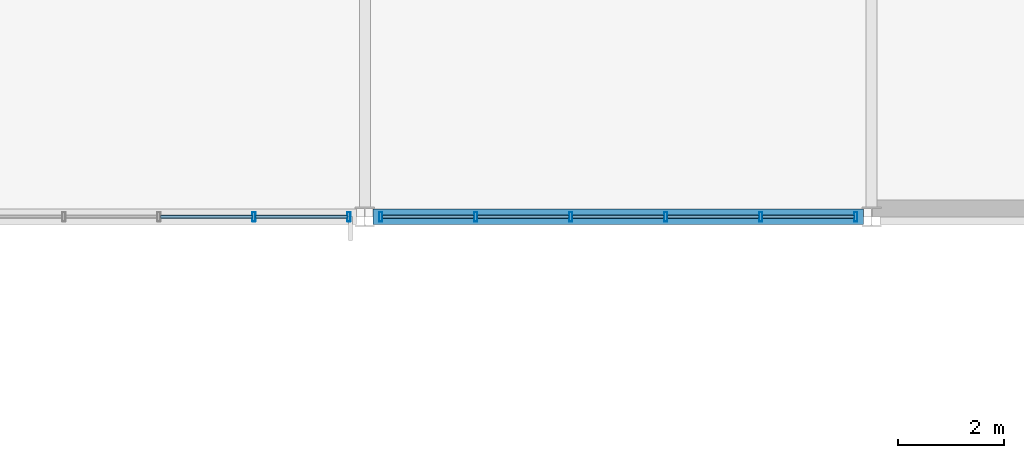
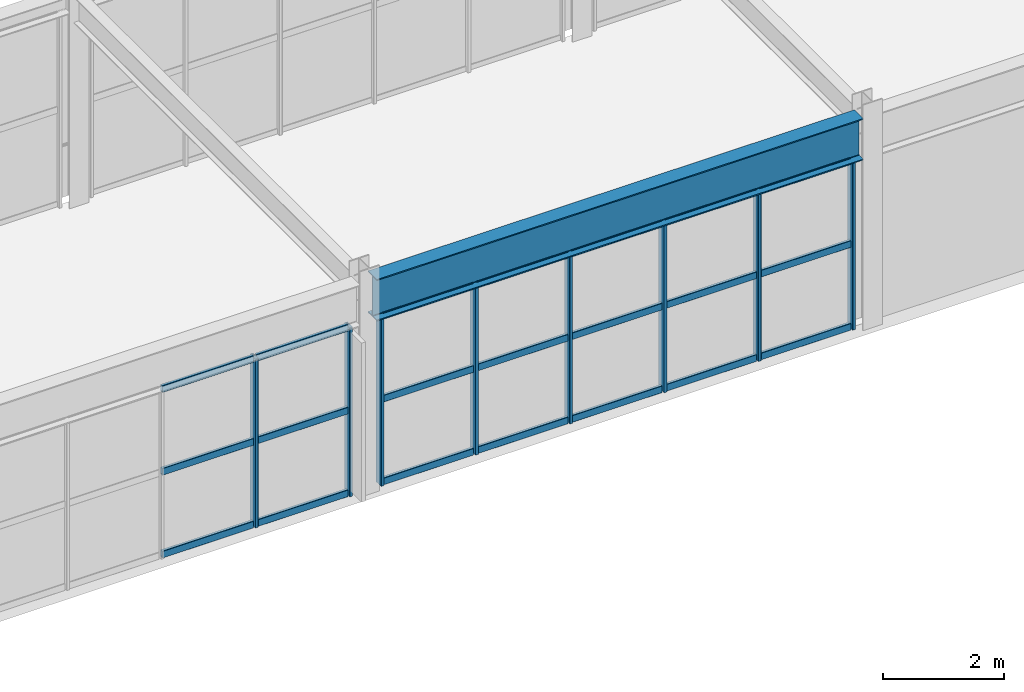
# One storey, part 69 of 170: 29 members, 1 beam, 2 elements without a shape of their own.
"""IFC4 building model written with IfcOpenShell, lengths in metres."""

from ifc_helpers import new_model, si_unit, direction, frame, origin, origin_2d, place, context, subcontext, project, spatial, hollow_rectangle, i_section, extrude, material, material_profile, profile_set, type_object, element, aggregate, save


model = new_model("IFC4")

# Units and contexts
model_context = context("Model", 3, precision=1e-05, world=origin(), true_north=direction((0.0, 1.0)))
body_context = subcontext(model_context, "Body", "Model", "MODEL_VIEW")
ifc_project = project(units=[si_unit("LENGTHUNIT", "METRE"), si_unit("AREAUNIT", "SQUARE_METRE"), si_unit("VOLUMEUNIT", "CUBIC_METRE"), si_unit("PLANEANGLEUNIT", "RADIAN"), si_unit("MASSUNIT", "GRAM", prefix="KILO")], contexts=[model_context])

# Site, building, storey
site_placement = place(None, origin())
site = spatial("IfcSite", under=ifc_project, at=site_placement, CompositionType="ELEMENT")
building_placement = place(site_placement, origin())
building = spatial("IfcBuilding", under=site, at=building_placement, Name="Coralgate Yard Interchange", CompositionType="ELEMENT")
storey_placement = place(building_placement, frame((0.0, 0.0, 6.0)))
storey = spatial("IfcBuildingStorey", under=building, at=storey_placement, Name="L01", CompositionType="ELEMENT", Elevation=6.0)

# Beam
ifc_material_1 = material(Name="Structural steel S355J2", Category="steel")
ifc_material_profile_1 = material_profile(ifc_material_1, i_section(OverallWidth=0.29248046875, OverallDepth=0.8408203125, WebThickness=0.0146484375, FlangeThickness=0.021728515625, FilletRadius=0.017822265625, at=origin_2d()), Name="UB 838x292x194")
ifc_profile_set_1 = profile_set([ifc_material_profile_1], Name="Structural steel S355J2")
beam_type = type_object("IfcBeamType", Name="BM-SG-2", PredefinedType="BEAM", material=ifc_profile_set_1)
beam_placement = place(storey_placement, frame((67.356201171875, 38.39990234375, 3.82958984375), z_axis=(1.0, 0.0, 0.0), x_axis=(0.0, 1.0, 0.0)))
element("IfcBeam", 1, at=beam_placement, inside=storey, type_object=beam_type, Name="L01 primary grid beam Y4 X7-8", PredefinedType="BEAM", context=body_context, shape_type="SweptSolid", body=[
    extrude(i_section(OverallWidth=0.29248046875, OverallDepth=0.8408203125, WebThickness=0.0146484375, FlangeThickness=0.021728515625, FilletRadius=0.017822265625, at=origin_2d()), origin(), (0.0, 0.0, 1.0), 9.28759765625),
])

# Curtain wall, members
ifc_material_2 = material(Name="Anodised coastal aluminium and solar-control low-E glass", Category="aluminium")
curtain_wall_type = type_object("IfcCurtainWallType", Name="CW-CW-L01-A", PredefinedType="NOTDEFINED", material=ifc_material_2)
curtain_wall_1_placement = place(storey_placement, origin())
curtain_wall_1 = element("IfcCurtainWall", 2, at=curtain_wall_1_placement, inside=storey, type_object=curtain_wall_type, Name="L01 unitised curtain wall CW-L01-S-06-04", PredefinedType="NOTDEFINED")
ifc_material_3 = material(Name="Anodised coastal aluminium 6063-T6", Category="aluminium")
ifc_material_profile_2 = material_profile(ifc_material_3, hollow_rectangle(XDim=0.06005859375, YDim=0.179931640625, WallThickness=0.00390625, InnerFilletRadius=0.00390625, OuterFilletRadius=0.008056640625, at=origin_2d()), Name="ALU 60x180x4")
ifc_profile_set_2 = profile_set([ifc_material_profile_2], Name="Anodised coastal aluminium 6063-T6")
member_type_1 = type_object("IfcMemberType", Name="MB-MUL-180", PredefinedType="MULLION", material=ifc_profile_set_2)
member_1_placement = place(storey_placement, frame((66.89990234375, 38.39990234375, 0.0), z_axis=(0.0, 0.0, 1.0), x_axis=(1.0, 0.0, 0.0)))
member_1 = element("IfcMember", 3, at=member_1_placement, type_object=member_type_1, Name="CW-L01-S-06-04 vertical mullion 1", PredefinedType="MULLION", context=body_context, shape_type="SweptSolid", body=[
    extrude(hollow_rectangle(XDim=0.06005859375, YDim=0.179931640625, WallThickness=0.00390625, InnerFilletRadius=0.00390625, OuterFilletRadius=0.008056640625, at=origin_2d()), origin(), (0.0, 0.0, 1.0), 3.4091796875),
])
member_2_placement = place(storey_placement, frame((65.10009765625, 38.39990234375, 0.0), z_axis=(0.0, 0.0, 1.0), x_axis=(1.0, 0.0, 0.0)))
member_2 = element("IfcMember", 4, at=member_2_placement, type_object=member_type_1, Name="CW-L01-S-06-04 vertical mullion 2", PredefinedType="MULLION", context=body_context, shape_type="SweptSolid", body=[
    extrude(hollow_rectangle(XDim=0.06005859375, YDim=0.179931640625, WallThickness=0.00390625, InnerFilletRadius=0.00390625, OuterFilletRadius=0.008056640625, at=origin_2d()), origin(), (0.0, 0.0, 1.0), 3.4091796875),
])

curtain_wall_2_placement = place(storey_placement, origin())
curtain_wall_2 = element("IfcCurtainWall", 5, at=curtain_wall_2_placement, inside=storey, type_object=curtain_wall_type, Name="L01 unitised curtain wall CW-L01-S-07-04", PredefinedType="NOTDEFINED")
member_3_placement = place(storey_placement, frame((76.5, 38.39990234375, 0.0), z_axis=(0.0, 0.0, 1.0), x_axis=(1.0, 0.0, 0.0)))
member_3 = element("IfcMember", 6, at=member_3_placement, type_object=member_type_1, Name="CW-L01-S-07-04 vertical mullion 1", PredefinedType="MULLION", context=body_context, shape_type="SweptSolid", body=[
    extrude(hollow_rectangle(XDim=0.06005859375, YDim=0.179931640625, WallThickness=0.00390625, InnerFilletRadius=0.00390625, OuterFilletRadius=0.008056640625, at=origin_2d()), origin(), (0.0, 0.0, 1.0), 3.4091796875),
])
member_4_placement = place(storey_placement, frame((74.699951171875, 38.39990234375, 0.0), z_axis=(0.0, 0.0, 1.0), x_axis=(1.0, 0.0, 0.0)))
member_4 = element("IfcMember", 7, at=member_4_placement, type_object=member_type_1, Name="CW-L01-S-07-04 vertical mullion 2", PredefinedType="MULLION", context=body_context, shape_type="SweptSolid", body=[
    extrude(hollow_rectangle(XDim=0.06005859375, YDim=0.179931640625, WallThickness=0.00390625, InnerFilletRadius=0.00390625, OuterFilletRadius=0.008056640625, at=origin_2d()), origin(), (0.0, 0.0, 1.0), 3.4091796875),
])
member_5_placement = place(storey_placement, frame((72.89990234375, 38.39990234375, 0.0), z_axis=(0.0, 0.0, 1.0), x_axis=(1.0, 0.0, 0.0)))
member_5 = element("IfcMember", 8, at=member_5_placement, type_object=member_type_1, Name="CW-L01-S-07-04 vertical mullion 3", PredefinedType="MULLION", context=body_context, shape_type="SweptSolid", body=[
    extrude(hollow_rectangle(XDim=0.06005859375, YDim=0.179931640625, WallThickness=0.00390625, InnerFilletRadius=0.00390625, OuterFilletRadius=0.008056640625, at=origin_2d()), origin(), (0.0, 0.0, 1.0), 3.4091796875),
])
member_6_placement = place(storey_placement, frame((71.10009765625, 38.39990234375, 0.0), z_axis=(0.0, 0.0, 1.0), x_axis=(1.0, 0.0, 0.0)))
member_6 = element("IfcMember", 9, at=member_6_placement, type_object=member_type_1, Name="CW-L01-S-07-04 vertical mullion 4", PredefinedType="MULLION", context=body_context, shape_type="SweptSolid", body=[
    extrude(hollow_rectangle(XDim=0.06005859375, YDim=0.179931640625, WallThickness=0.00390625, InnerFilletRadius=0.00390625, OuterFilletRadius=0.008056640625, at=origin_2d()), origin(), (0.0, 0.0, 1.0), 3.4091796875),
])
member_7_placement = place(storey_placement, frame((69.300048828125, 38.39990234375, 0.0), z_axis=(0.0, 0.0, 1.0), x_axis=(1.0, 0.0, 0.0)))
member_7 = element("IfcMember", 10, at=member_7_placement, type_object=member_type_1, Name="CW-L01-S-07-04 vertical mullion 5", PredefinedType="MULLION", context=body_context, shape_type="SweptSolid", body=[
    extrude(hollow_rectangle(XDim=0.06005859375, YDim=0.179931640625, WallThickness=0.00390625, InnerFilletRadius=0.00390625, OuterFilletRadius=0.008056640625, at=origin_2d()), origin(), (0.0, 0.0, 1.0), 3.4091796875),
])
member_8_placement = place(storey_placement, frame((67.5, 38.39990234375, 0.0), z_axis=(0.0, 0.0, 1.0), x_axis=(1.0, 0.0, 0.0)))
member_8 = element("IfcMember", 11, at=member_8_placement, type_object=member_type_1, Name="CW-L01-S-07-04 vertical mullion 6", PredefinedType="MULLION", context=body_context, shape_type="SweptSolid", body=[
    extrude(hollow_rectangle(XDim=0.06005859375, YDim=0.179931640625, WallThickness=0.00390625, InnerFilletRadius=0.00390625, OuterFilletRadius=0.008056640625, at=origin_2d()), origin(), (0.0, 0.0, 1.0), 3.4091796875),
])

# Member
ifc_material_profile_3 = material_profile(ifc_material_3, hollow_rectangle(XDim=0.06005859375, YDim=0.139892578125, WallThickness=0.00341796875, InnerFilletRadius=0.00341796875, OuterFilletRadius=0.007080078125, at=origin_2d()), Name="ALU 60x140x3.5")
ifc_profile_set_3 = profile_set([ifc_material_profile_3], Name="Anodised coastal aluminium 6063-T6")
member_type_2 = type_object("IfcMemberType", Name="MB-TRN-140", PredefinedType="USERDEFINED", material=ifc_profile_set_3)
member_9_placement = place(storey_placement, frame((66.8701171875, 38.39990234375, 0.034912109375), z_axis=(-1.0, 0.0, 0.0), x_axis=(0.0, -1.0, 0.0)))
member_9 = element("IfcMember", 12, at=member_9_placement, type_object=member_type_2, Name="CW-L01-S-06-04 horizontal transom 1-1", ObjectType="TRANSOM", PredefinedType="USERDEFINED", context=body_context, shape_type="SweptSolid", body=[
    extrude(hollow_rectangle(XDim=0.06005859375, YDim=0.139892578125, WallThickness=0.00341796875, InnerFilletRadius=0.00341796875, OuterFilletRadius=0.007080078125, at=origin_2d()), origin(), (0.0, 0.0, 1.0), 1.740234375),
])

member_10_placement = place(storey_placement, frame((66.8701171875, 38.39990234375, 1.70458984375), z_axis=(-1.0, 0.0, 0.0), x_axis=(0.0, -1.0, 0.0)))
member_10 = element("IfcMember", 13, at=member_10_placement, type_object=member_type_2, Name="CW-L01-S-06-04 horizontal transom 1-2", ObjectType="TRANSOM", PredefinedType="USERDEFINED", context=body_context, shape_type="SweptSolid", body=[
    extrude(hollow_rectangle(XDim=0.06005859375, YDim=0.139892578125, WallThickness=0.00341796875, InnerFilletRadius=0.00341796875, OuterFilletRadius=0.007080078125, at=origin_2d()), origin(), (0.0, 0.0, 1.0), 1.740234375),
])

member_11_placement = place(storey_placement, frame((66.8701171875, 38.39990234375, 3.374267578125), z_axis=(-1.0, 0.0, 0.0), x_axis=(0.0, -1.0, 0.0)))
member_11 = element("IfcMember", 14, at=member_11_placement, type_object=member_type_2, Name="CW-L01-S-06-04 horizontal transom 1-3", ObjectType="TRANSOM", PredefinedType="USERDEFINED", context=body_context, shape_type="SweptSolid", body=[
    extrude(hollow_rectangle(XDim=0.06005859375, YDim=0.139892578125, WallThickness=0.00341796875, InnerFilletRadius=0.00341796875, OuterFilletRadius=0.007080078125, at=origin_2d()), origin(), (0.0, 0.0, 1.0), 1.740234375),
])

member_12_placement = place(storey_placement, frame((65.070068359375, 38.39990234375, 0.034912109375), z_axis=(-1.0, 0.0, 0.0), x_axis=(0.0, -1.0, 0.0)))
member_12 = element("IfcMember", 15, at=member_12_placement, type_object=member_type_2, Name="CW-L01-S-06-04 horizontal transom 2-1", ObjectType="TRANSOM", PredefinedType="USERDEFINED", context=body_context, shape_type="SweptSolid", body=[
    extrude(hollow_rectangle(XDim=0.06005859375, YDim=0.139892578125, WallThickness=0.00341796875, InnerFilletRadius=0.00341796875, OuterFilletRadius=0.007080078125, at=origin_2d()), origin(), (0.0, 0.0, 1.0), 1.739990234375),
])

member_13_placement = place(storey_placement, frame((65.070068359375, 38.39990234375, 1.70458984375), z_axis=(-1.0, 0.0, 0.0), x_axis=(0.0, -1.0, 0.0)))
member_13 = element("IfcMember", 16, at=member_13_placement, type_object=member_type_2, Name="CW-L01-S-06-04 horizontal transom 2-2", ObjectType="TRANSOM", PredefinedType="USERDEFINED", context=body_context, shape_type="SweptSolid", body=[
    extrude(hollow_rectangle(XDim=0.06005859375, YDim=0.139892578125, WallThickness=0.00341796875, InnerFilletRadius=0.00341796875, OuterFilletRadius=0.007080078125, at=origin_2d()), origin(), (0.0, 0.0, 1.0), 1.739990234375),
])

member_14_placement = place(storey_placement, frame((65.070068359375, 38.39990234375, 3.374267578125), z_axis=(-1.0, 0.0, 0.0), x_axis=(0.0, -1.0, 0.0)))
member_14 = element("IfcMember", 17, at=member_14_placement, type_object=member_type_2, Name="CW-L01-S-06-04 horizontal transom 2-3", ObjectType="TRANSOM", PredefinedType="USERDEFINED", context=body_context, shape_type="SweptSolid", body=[
    extrude(hollow_rectangle(XDim=0.06005859375, YDim=0.139892578125, WallThickness=0.00341796875, InnerFilletRadius=0.00341796875, OuterFilletRadius=0.007080078125, at=origin_2d()), origin(), (0.0, 0.0, 1.0), 1.739990234375),
])

aggregate(curtain_wall_1, [member_1, member_2, member_9, member_10, member_11, member_12, member_13, member_14])

member_15_placement = place(storey_placement, frame((76.469970703125, 38.39990234375, 0.034912109375), z_axis=(-1.0, 0.0, 0.0), x_axis=(0.0, -1.0, 0.0)))
member_15 = element("IfcMember", 18, at=member_15_placement, type_object=member_type_2, Name="CW-L01-S-07-04 horizontal transom 1-1", ObjectType="TRANSOM", PredefinedType="USERDEFINED", context=body_context, shape_type="SweptSolid", body=[
    extrude(hollow_rectangle(XDim=0.06005859375, YDim=0.139892578125, WallThickness=0.00341796875, InnerFilletRadius=0.00341796875, OuterFilletRadius=0.007080078125, at=origin_2d()), origin(), (0.0, 0.0, 1.0), 1.739990234375),
])

member_16_placement = place(storey_placement, frame((76.469970703125, 38.39990234375, 1.70458984375), z_axis=(-1.0, 0.0, 0.0), x_axis=(0.0, -1.0, 0.0)))
member_16 = element("IfcMember", 19, at=member_16_placement, type_object=member_type_2, Name="CW-L01-S-07-04 horizontal transom 1-2", ObjectType="TRANSOM", PredefinedType="USERDEFINED", context=body_context, shape_type="SweptSolid", body=[
    extrude(hollow_rectangle(XDim=0.06005859375, YDim=0.139892578125, WallThickness=0.00341796875, InnerFilletRadius=0.00341796875, OuterFilletRadius=0.007080078125, at=origin_2d()), origin(), (0.0, 0.0, 1.0), 1.739990234375),
])

member_17_placement = place(storey_placement, frame((76.469970703125, 38.39990234375, 3.374267578125), z_axis=(-1.0, 0.0, 0.0), x_axis=(0.0, -1.0, 0.0)))
member_17 = element("IfcMember", 20, at=member_17_placement, type_object=member_type_2, Name="CW-L01-S-07-04 horizontal transom 1-3", ObjectType="TRANSOM", PredefinedType="USERDEFINED", context=body_context, shape_type="SweptSolid", body=[
    extrude(hollow_rectangle(XDim=0.06005859375, YDim=0.139892578125, WallThickness=0.00341796875, InnerFilletRadius=0.00341796875, OuterFilletRadius=0.007080078125, at=origin_2d()), origin(), (0.0, 0.0, 1.0), 1.739990234375),
])

member_18_placement = place(storey_placement, frame((74.669921875, 38.39990234375, 0.034912109375), z_axis=(-1.0, 0.0, 0.0), x_axis=(0.0, -1.0, 0.0)))
member_18 = element("IfcMember", 21, at=member_18_placement, type_object=member_type_2, Name="CW-L01-S-07-04 horizontal transom 2-1", ObjectType="TRANSOM", PredefinedType="USERDEFINED", context=body_context, shape_type="SweptSolid", body=[
    extrude(hollow_rectangle(XDim=0.06005859375, YDim=0.139892578125, WallThickness=0.00341796875, InnerFilletRadius=0.00341796875, OuterFilletRadius=0.007080078125, at=origin_2d()), origin(), (0.0, 0.0, 1.0), 1.739990234375),
])

member_19_placement = place(storey_placement, frame((74.669921875, 38.39990234375, 1.70458984375), z_axis=(-1.0, 0.0, 0.0), x_axis=(0.0, -1.0, 0.0)))
member_19 = element("IfcMember", 22, at=member_19_placement, type_object=member_type_2, Name="CW-L01-S-07-04 horizontal transom 2-2", ObjectType="TRANSOM", PredefinedType="USERDEFINED", context=body_context, shape_type="SweptSolid", body=[
    extrude(hollow_rectangle(XDim=0.06005859375, YDim=0.139892578125, WallThickness=0.00341796875, InnerFilletRadius=0.00341796875, OuterFilletRadius=0.007080078125, at=origin_2d()), origin(), (0.0, 0.0, 1.0), 1.739990234375),
])

member_20_placement = place(storey_placement, frame((74.669921875, 38.39990234375, 3.374267578125), z_axis=(-1.0, 0.0, 0.0), x_axis=(0.0, -1.0, 0.0)))
member_20 = element("IfcMember", 23, at=member_20_placement, type_object=member_type_2, Name="CW-L01-S-07-04 horizontal transom 2-3", ObjectType="TRANSOM", PredefinedType="USERDEFINED", context=body_context, shape_type="SweptSolid", body=[
    extrude(hollow_rectangle(XDim=0.06005859375, YDim=0.139892578125, WallThickness=0.00341796875, InnerFilletRadius=0.00341796875, OuterFilletRadius=0.007080078125, at=origin_2d()), origin(), (0.0, 0.0, 1.0), 1.739990234375),
])

member_21_placement = place(storey_placement, frame((72.8701171875, 38.39990234375, 0.034912109375), z_axis=(-1.0, 0.0, 0.0), x_axis=(0.0, -1.0, 0.0)))
member_21 = element("IfcMember", 24, at=member_21_placement, type_object=member_type_2, Name="CW-L01-S-07-04 horizontal transom 3-1", ObjectType="TRANSOM", PredefinedType="USERDEFINED", context=body_context, shape_type="SweptSolid", body=[
    extrude(hollow_rectangle(XDim=0.06005859375, YDim=0.139892578125, WallThickness=0.00341796875, InnerFilletRadius=0.00341796875, OuterFilletRadius=0.007080078125, at=origin_2d()), origin(), (0.0, 0.0, 1.0), 1.740234375),
])

member_22_placement = place(storey_placement, frame((72.8701171875, 38.39990234375, 1.70458984375), z_axis=(-1.0, 0.0, 0.0), x_axis=(0.0, -1.0, 0.0)))
member_22 = element("IfcMember", 25, at=member_22_placement, type_object=member_type_2, Name="CW-L01-S-07-04 horizontal transom 3-2", ObjectType="TRANSOM", PredefinedType="USERDEFINED", context=body_context, shape_type="SweptSolid", body=[
    extrude(hollow_rectangle(XDim=0.06005859375, YDim=0.139892578125, WallThickness=0.00341796875, InnerFilletRadius=0.00341796875, OuterFilletRadius=0.007080078125, at=origin_2d()), origin(), (0.0, 0.0, 1.0), 1.740234375),
])

member_23_placement = place(storey_placement, frame((72.8701171875, 38.39990234375, 3.374267578125), z_axis=(-1.0, 0.0, 0.0), x_axis=(0.0, -1.0, 0.0)))
member_23 = element("IfcMember", 26, at=member_23_placement, type_object=member_type_2, Name="CW-L01-S-07-04 horizontal transom 3-3", ObjectType="TRANSOM", PredefinedType="USERDEFINED", context=body_context, shape_type="SweptSolid", body=[
    extrude(hollow_rectangle(XDim=0.06005859375, YDim=0.139892578125, WallThickness=0.00341796875, InnerFilletRadius=0.00341796875, OuterFilletRadius=0.007080078125, at=origin_2d()), origin(), (0.0, 0.0, 1.0), 1.740234375),
])

member_24_placement = place(storey_placement, frame((71.070068359375, 38.39990234375, 0.034912109375), z_axis=(-1.0, 0.0, 0.0), x_axis=(0.0, -1.0, 0.0)))
member_24 = element("IfcMember", 27, at=member_24_placement, type_object=member_type_2, Name="CW-L01-S-07-04 horizontal transom 4-1", ObjectType="TRANSOM", PredefinedType="USERDEFINED", context=body_context, shape_type="SweptSolid", body=[
    extrude(hollow_rectangle(XDim=0.06005859375, YDim=0.139892578125, WallThickness=0.00341796875, InnerFilletRadius=0.00341796875, OuterFilletRadius=0.007080078125, at=origin_2d()), origin(), (0.0, 0.0, 1.0), 1.739990234375),
])

member_25_placement = place(storey_placement, frame((71.070068359375, 38.39990234375, 1.70458984375), z_axis=(-1.0, 0.0, 0.0), x_axis=(0.0, -1.0, 0.0)))
member_25 = element("IfcMember", 28, at=member_25_placement, type_object=member_type_2, Name="CW-L01-S-07-04 horizontal transom 4-2", ObjectType="TRANSOM", PredefinedType="USERDEFINED", context=body_context, shape_type="SweptSolid", body=[
    extrude(hollow_rectangle(XDim=0.06005859375, YDim=0.139892578125, WallThickness=0.00341796875, InnerFilletRadius=0.00341796875, OuterFilletRadius=0.007080078125, at=origin_2d()), origin(), (0.0, 0.0, 1.0), 1.739990234375),
])

member_26_placement = place(storey_placement, frame((71.070068359375, 38.39990234375, 3.374267578125), z_axis=(-1.0, 0.0, 0.0), x_axis=(0.0, -1.0, 0.0)))
member_26 = element("IfcMember", 29, at=member_26_placement, type_object=member_type_2, Name="CW-L01-S-07-04 horizontal transom 4-3", ObjectType="TRANSOM", PredefinedType="USERDEFINED", context=body_context, shape_type="SweptSolid", body=[
    extrude(hollow_rectangle(XDim=0.06005859375, YDim=0.139892578125, WallThickness=0.00341796875, InnerFilletRadius=0.00341796875, OuterFilletRadius=0.007080078125, at=origin_2d()), origin(), (0.0, 0.0, 1.0), 1.739990234375),
])

member_27_placement = place(storey_placement, frame((69.27001953125, 38.39990234375, 0.034912109375), z_axis=(-1.0, 0.0, 0.0), x_axis=(0.0, -1.0, 0.0)))
member_27 = element("IfcMember", 30, at=member_27_placement, type_object=member_type_2, Name="CW-L01-S-07-04 horizontal transom 5-1", ObjectType="TRANSOM", PredefinedType="USERDEFINED", context=body_context, shape_type="SweptSolid", body=[
    extrude(hollow_rectangle(XDim=0.06005859375, YDim=0.139892578125, WallThickness=0.00341796875, InnerFilletRadius=0.00341796875, OuterFilletRadius=0.007080078125, at=origin_2d()), origin(), (0.0, 0.0, 1.0), 1.739990234375),
])

member_28_placement = place(storey_placement, frame((69.27001953125, 38.39990234375, 1.70458984375), z_axis=(-1.0, 0.0, 0.0), x_axis=(0.0, -1.0, 0.0)))
member_28 = element("IfcMember", 31, at=member_28_placement, type_object=member_type_2, Name="CW-L01-S-07-04 horizontal transom 5-2", ObjectType="TRANSOM", PredefinedType="USERDEFINED", context=body_context, shape_type="SweptSolid", body=[
    extrude(hollow_rectangle(XDim=0.06005859375, YDim=0.139892578125, WallThickness=0.00341796875, InnerFilletRadius=0.00341796875, OuterFilletRadius=0.007080078125, at=origin_2d()), origin(), (0.0, 0.0, 1.0), 1.739990234375),
])

member_29_placement = place(storey_placement, frame((69.27001953125, 38.39990234375, 3.374267578125), z_axis=(-1.0, 0.0, 0.0), x_axis=(0.0, -1.0, 0.0)))
member_29 = element("IfcMember", 32, at=member_29_placement, type_object=member_type_2, Name="CW-L01-S-07-04 horizontal transom 5-3", ObjectType="TRANSOM", PredefinedType="USERDEFINED", context=body_context, shape_type="SweptSolid", body=[
    extrude(hollow_rectangle(XDim=0.06005859375, YDim=0.139892578125, WallThickness=0.00341796875, InnerFilletRadius=0.00341796875, OuterFilletRadius=0.007080078125, at=origin_2d()), origin(), (0.0, 0.0, 1.0), 1.739990234375),
])

aggregate(curtain_wall_2, [member_3, member_4, member_5, member_6, member_7, member_8, member_15, member_16, member_17, member_18, member_19, member_20, member_21, member_22, member_23, member_24, member_25, member_26, member_27, member_28, member_29])

save(model, "model.ifc")
